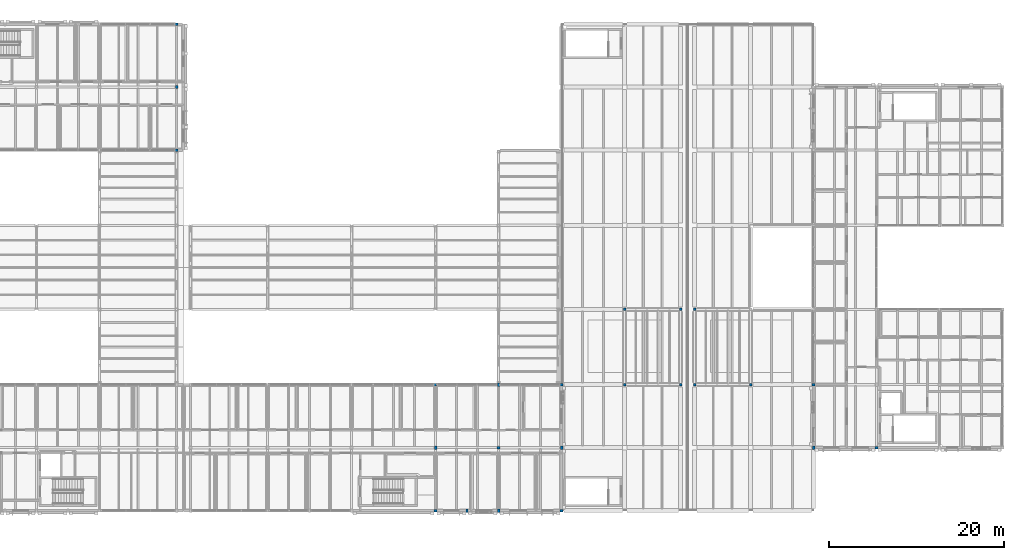
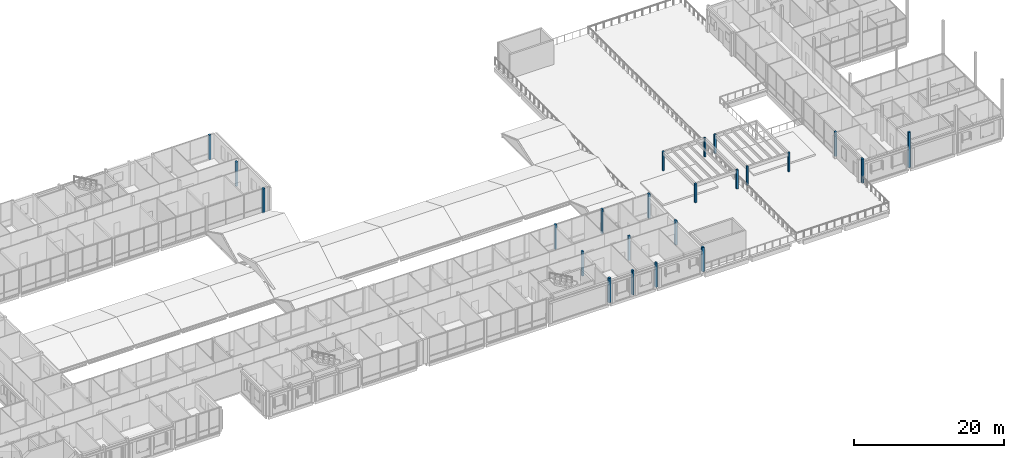
# One storey, part 2 of 115: 23 columns.
"""IFC4 building model written with IfcOpenShell, lengths in metres."""

from ifc_helpers import new_model, si_unit, direction, frame, origin, origin_2d, place, context, subcontext, project, spatial, rectangle, extrude, material, material_profile, profile_set, type_object, element, save


model = new_model("IFC4")

# Units and contexts
model_context = context("Model", 3, precision=1e-05, world=origin(), true_north=direction((0.0, 1.0)))
body_context = subcontext(model_context, "Body", "Model", "MODEL_VIEW")
ifc_project = project(units=[si_unit("LENGTHUNIT", "METRE"), si_unit("AREAUNIT", "SQUARE_METRE"), si_unit("VOLUMEUNIT", "CUBIC_METRE"), si_unit("PLANEANGLEUNIT", "RADIAN"), si_unit("MASSUNIT", "GRAM", prefix="KILO")], contexts=[model_context])

# Site, building, storey
site_placement = place(None, origin())
site = spatial("IfcSite", under=ifc_project, at=site_placement, CompositionType="ELEMENT")
building_placement = place(site_placement, origin())
building = spatial("IfcBuilding", under=site, at=building_placement, Name="Hawrajan Terrace Health Centre", CompositionType="ELEMENT")
storey_placement = place(building_placement, frame((0.0, 0.0, 9.0)))
storey = spatial("IfcBuildingStorey", under=building, at=storey_placement, Name="L02", CompositionType="ELEMENT", Elevation=9.0)

# Columns
ifc_material = material(Name="Glulam GL32h", Category="wood")
ifc_material_profile_1 = material_profile(ifc_material, rectangle(XDim=0.280029296875, YDim=0.280029296875, at=origin_2d()), Name="GL 280x280")
ifc_profile_set_1 = profile_set([ifc_material_profile_1], Name="Glulam GL32h")
column_type_1 = type_object("IfcColumnType", Name="GlulamCol_280x280", PredefinedType="COLUMN", material=ifc_profile_set_1)
for number, where, z_axis, x_axis, name in (
    (1, (122.199951171875, 18.60009765625, 0.0), (0.0, 0.0, 1.0), (1.0, 0.0, 0.0), "Therapy garden pergola column WEST-1"),
    (2, (128.60009765625, 18.60009765625, 0.0), (0.0, 0.0, 1.0), (1.0, 0.0, 0.0), "Therapy garden pergola column WEST-2"),
    (3, (128.60009765625, 27.199951171875, 0.0), (0.0, 0.0, 1.0), (1.0, 0.0, 0.0), "Therapy garden pergola column WEST-3"),
    (4, (122.199951171875, 27.199951171875, 0.0), (0.0, 0.0, 1.0), (1.0, 0.0, 0.0), "Therapy garden pergola column WEST-4"),
    (5, (130.199951171875, 18.60009765625, 0.0), (0.0, 0.0, 1.0), (1.0, 0.0, 0.0), "Therapy garden pergola column EAST-1"),
    (6, (136.60009765625, 18.60009765625, 0.0), (0.0, 0.0, 1.0), (1.0, 0.0, 0.0), "Therapy garden pergola column EAST-2"),
    (7, (130.199951171875, 27.199951171875, 0.0), (0.0, 0.0, 1.0), (1.0, 0.0, 0.0), "Therapy garden pergola column EAST-4"),
):
    element("IfcColumn", number, at=place(storey_placement, frame(where, z_axis=z_axis, x_axis=x_axis)), inside=storey, type_object=column_type_1, Name=name, PredefinedType="COLUMN", context=body_context, shape_type="SweptSolid", body=[
        extrude(rectangle(XDim=0.280029296875, YDim=0.280029296875, at=origin_2d()), origin(), (0.0, 0.0, 1.0), 3.10009765625),
    ])
ifc_material_profile_2 = material_profile(ifc_material, rectangle(XDim=0.280029296875, YDim=0.360107421875, at=origin_2d()), Name="GL 280x360")
ifc_profile_set_2 = profile_set([ifc_material_profile_2], Name="Glulam GL32h")
column_type_2 = type_object("IfcColumnType", Name="GlulamCol_280x360", PredefinedType="COLUMN", material=ifc_profile_set_2)
column_1_placement = place(storey_placement, frame((100.60009765625, 11.39990234375, 0.0), z_axis=(0.0, 0.0, 1.0), x_axis=(1.0, 0.0, 0.0)))
element("IfcColumn", 8, at=column_1_placement, inside=storey, type_object=column_type_2, Name="Column COL-L02-C-X13-Y2", PredefinedType="COLUMN", context=body_context, shape_type="SweptSolid", body=[
    extrude(rectangle(XDim=0.280029296875, YDim=0.360107421875, at=origin_2d()), origin(), (0.0, 0.0, 1.0), 3.989990234375),
])
for number, where, z_axis, x_axis, name in (
    (9, (107.800048828125, 4.199951171875, 0.0), (0.0, 0.0, 1.0), (1.0, 0.0, 0.0), "Column COL-L02-C-X14-Y1"),
    (10, (107.800048828125, 18.60009765625, 0.0), (0.0, 0.0, 1.0), (1.0, 0.0, 0.0), "Column COL-L02-C-X14-Y3"),
    (11, (115.0, 11.39990234375, 0.0), (0.0, 0.0, 1.0), (1.0, 0.0, 0.0), "Column COL-L02-C-X15-Y2"),
    (12, (143.800048828125, 11.39990234375, 0.0), (0.0, 0.0, 1.0), (1.0, 0.0, 0.0), "Column COL-L02-E-X19-Y2"),
    (13, (71.0, 52.60009765625, 0.0), (0.0, 0.0, 1.0), (1.0, 0.0, 0.0), "Column COL-L02-W-X10-Y7"),
):
    element("IfcColumn", number, at=place(storey_placement, frame(where, z_axis=z_axis, x_axis=x_axis)), inside=storey, type_object=column_type_2, Name=name, PredefinedType="COLUMN", context=body_context, shape_type="SweptSolid", body=[
        extrude(rectangle(XDim=0.280029296875, YDim=0.360107421875, at=origin_2d()), origin(), (0.0, 0.0, 1.0), 3.97998046875),
    ])
ifc_material_profile_3 = material_profile(ifc_material, rectangle(XDim=0.320068359375, YDim=0.320068359375, at=origin_2d()), Name="GL 320x320")
ifc_profile_set_3 = profile_set([ifc_material_profile_3], Name="Glulam GL32h")
column_type_3 = type_object("IfcColumnType", Name="GlulamCol_320x320", PredefinedType="COLUMN", material=ifc_profile_set_3)
for number, where, z_axis, x_axis, name in (
    (14, (100.60009765625, 4.199951171875, 0.0), (0.0, 0.0, 1.0), (1.0, 0.0, 0.0), "Column COL-L02-C-X13-Y1"),
    (15, (100.60009765625, 18.60009765625, 0.0), (0.0, 0.0, 1.0), (1.0, 0.0, 0.0), "Column COL-L02-C-X13-Y3"),
):
    element("IfcColumn", number, at=place(storey_placement, frame(where, z_axis=z_axis, x_axis=x_axis)), inside=storey, type_object=column_type_3, Name=name, PredefinedType="COLUMN", context=body_context, shape_type="SweptSolid", body=[
        extrude(rectangle(XDim=0.320068359375, YDim=0.320068359375, at=origin_2d()), origin(), (0.0, 0.0, 1.0), 3.989990234375),
    ])
for number, where, z_axis, x_axis, name in (
    (16, (107.800048828125, 11.39990234375, 0.0), (0.0, 0.0, 1.0), (1.0, 0.0, 0.0), "Column COL-L02-C-X14-Y2"),
    (17, (115.0, 4.199951171875, 0.0), (0.0, 0.0, 1.0), (1.0, 0.0, 0.0), "Column COL-L02-C-X15-Y1"),
    (18, (115.0, 18.60009765625, 0.0), (0.0, 0.0, 1.0), (1.0, 0.0, 0.0), "Column COL-L02-C-X15-Y3"),
    (19, (143.800048828125, 18.60009765625, 0.0), (0.0, 0.0, 1.0), (1.0, 0.0, 0.0), "Column COL-L02-E-X19-Y3"),
):
    element("IfcColumn", number, at=place(storey_placement, frame(where, z_axis=z_axis, x_axis=x_axis)), inside=storey, type_object=column_type_3, Name=name, PredefinedType="COLUMN", context=body_context, shape_type="SweptSolid", body=[
        extrude(rectangle(XDim=0.320068359375, YDim=0.320068359375, at=origin_2d()), origin(), (0.0, 0.0, 1.0), 3.97998046875),
    ])
column_2_placement = place(storey_placement, frame((151.0, 11.39990234375, 0.0), z_axis=(0.0, 0.0, 1.0), x_axis=(1.0, 0.0, 0.0)))
element("IfcColumn", 20, at=column_2_placement, inside=storey, type_object=column_type_3, Name="Column COL-L02-E-X20-Y2", PredefinedType="COLUMN", context=body_context, shape_type="SweptSolid", body=[
    extrude(rectangle(XDim=0.320068359375, YDim=0.320068359375, at=origin_2d()), origin(), (0.0, 0.0, 1.0), 5.775146484375),
])
for number, where, z_axis, x_axis, name in (
    (21, (71.0, 45.39990234375, 0.0), (0.0, 0.0, 1.0), (1.0, 0.0, 0.0), "Column COL-L02-W-X10-Y6"),
    (22, (71.0, 59.800048828125, 0.0), (0.0, 0.0, 1.0), (1.0, 0.0, 0.0), "Column COL-L02-W-X10-Y8"),
):
    element("IfcColumn", number, at=place(storey_placement, frame(where, z_axis=z_axis, x_axis=x_axis)), inside=storey, type_object=column_type_3, Name=name, PredefinedType="COLUMN", context=body_context, shape_type="SweptSolid", body=[
        extrude(rectangle(XDim=0.320068359375, YDim=0.320068359375, at=origin_2d()), origin(), (0.0, 0.0, 1.0), 3.97998046875),
    ])
ifc_material_profile_4 = material_profile(ifc_material, rectangle(XDim=0.239990234375, YDim=0.3798828125, at=origin_2d()), Name="GL PIL 240x380")
ifc_profile_set_4 = profile_set([ifc_material_profile_4], Name="Glulam GL32h")
column_type_4 = type_object("IfcColumnType", Name="GlulamPilaster_240x380", PredefinedType="PILASTER", material=ifc_profile_set_4)
column_3_placement = place(storey_placement, frame((104.199951171875, 4.199951171875, 0.0), z_axis=(0.0, 0.0, 1.0), x_axis=(1.0, 0.0, 0.0)))
element("IfcColumn", 23, at=column_3_placement, inside=storey, type_object=column_type_4, Name="Art Deco fluted pilaster L02-13-Y1", PredefinedType="PILASTER", context=body_context, shape_type="SweptSolid", body=[
    extrude(rectangle(XDim=0.239990234375, YDim=0.3798828125, at=origin_2d()), origin(), (0.0, 0.0, 1.0), 3.989990234375),
])

save(model, "model.ifc")
